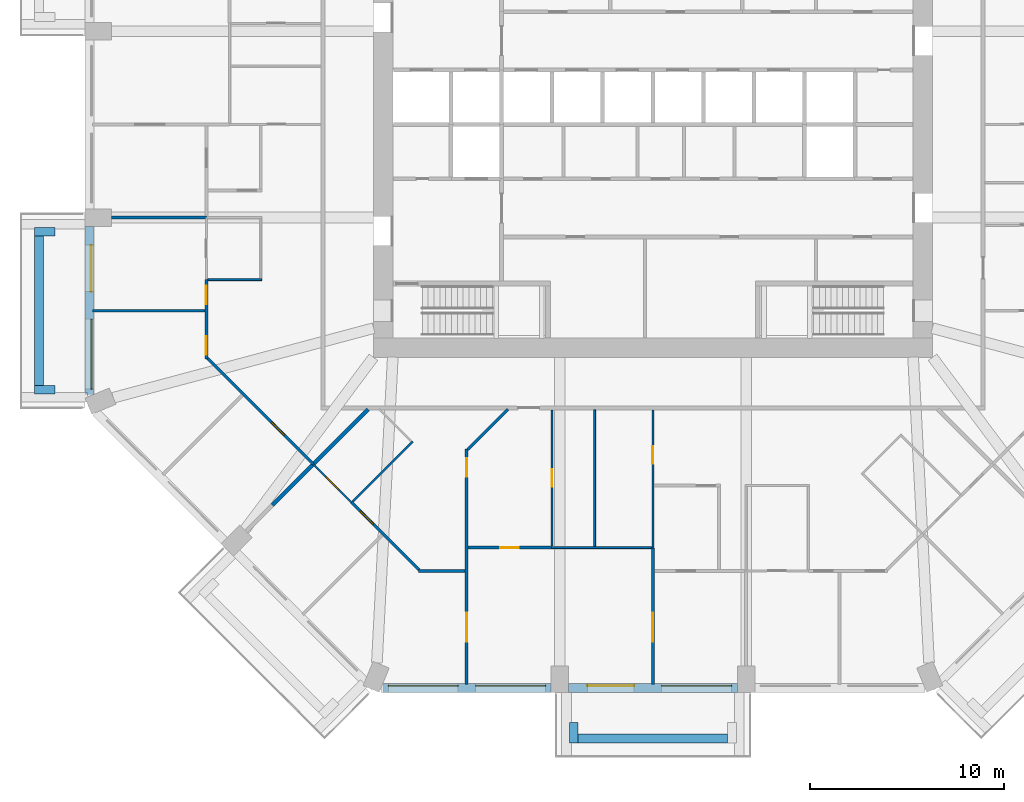
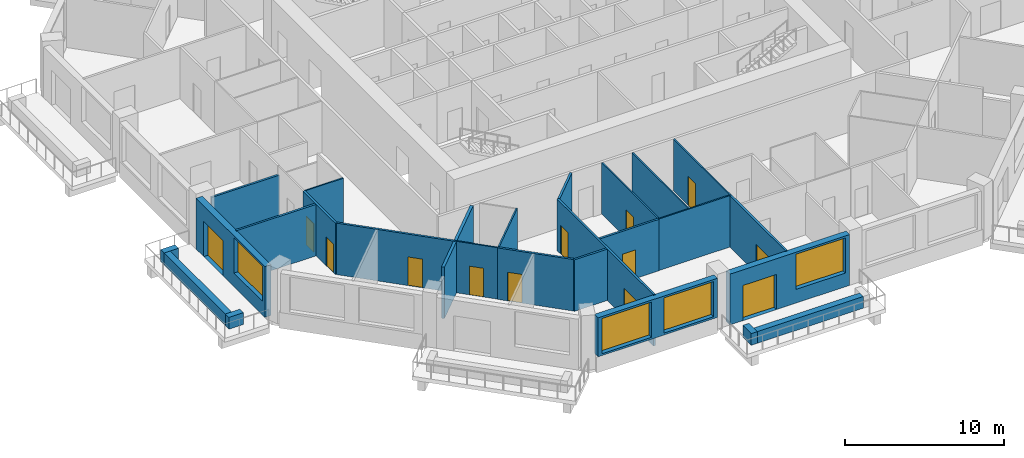
# One storey, part 3 of 13: 26 walls, 13 doors, 4 windows, 17 openings.
"""IFC4 building model written with IfcOpenShell, lengths in metres."""

from ifc_helpers import new_model, si_unit, direction, frame, frame_2d, origin, place, context, subcontext, project, spatial, rectangle, extrude, material, layer, layer_set, type_object, element, fill, save


model = new_model("IFC4")

# Units and contexts
model_context = context("Model", 3, precision=1e-05, world=origin(), true_north=direction((0.0, 1.0)))
body_context = subcontext(model_context, "Body", "Model", "MODEL_VIEW")
ifc_project = project(units=[si_unit("LENGTHUNIT", "METRE"), si_unit("AREAUNIT", "SQUARE_METRE"), si_unit("VOLUMEUNIT", "CUBIC_METRE"), si_unit("PLANEANGLEUNIT", "RADIAN"), si_unit("MASSUNIT", "GRAM", prefix="KILO")], contexts=[model_context])

# Site, building, storey
site_placement = place(None, origin())
site = spatial("IfcSite", under=ifc_project, at=site_placement, CompositionType="ELEMENT")
building_placement = place(site_placement, origin())
building = spatial("IfcBuilding", under=site, at=building_placement, Name="Msitu Wima Residences", CompositionType="ELEMENT")
storey_placement = place(building_placement, frame((0.0, 0.0, 29.699951171875)))
storey = spatial("IfcBuildingStorey", under=building, at=storey_placement, Name="L06", CompositionType="ELEMENT", Elevation=29.699951171875)

# Walls
ifc_material_1 = material(Name="Facing brick")
ifc_layer_1 = layer(ifc_material_1, 0.06494140625, Name="Facing brick")
ifc_material_2 = material(Name="Concrete C40/50", Category="concrete")
ifc_layer_2 = layer(ifc_material_2, 0.156005859375, Name="Concrete C40/50")
ifc_material_3 = material(Name="Waterproofing membrane")
ifc_layer_3 = layer(ifc_material_3, 0.00390625, Name="Waterproofing membrane")
ifc_material_4 = material(Name="Planting soil and planting")
ifc_layer_4 = layer(ifc_material_4, 0.22509765625, Name="Planting soil and planting")
ifc_layer_set_1 = layer_set([ifc_layer_1, ifc_layer_2, ifc_layer_3, ifc_layer_4], Name="Concrete C40/50")
wall_type_1 = type_object("IfcWallType", Name="Balcony planter PLANTER PL450", PredefinedType="USERDEFINED", material=ifc_layer_set_1)
wall_1_placement = place(storey_placement, frame((-31.625, -5.75, 0.0), z_axis=(0.0, 0.0, 1.0), x_axis=(0.0, -1.0, 0.0)))
element("IfcWall", 1, at=wall_1_placement, inside=storey, type_object=wall_type_1, Name="Balcony planter W2 L06", ObjectType="PLANTER", PredefinedType="USERDEFINED", context=body_context, shape_type="SweptSolid", body=[
    extrude(rectangle(XDim=7.699951171875, YDim=0.449951171875, at=frame_2d((3.85009765625, 0.0))), origin(), (0.0, 0.0, 1.0), 0.900146484375),
])
for number, where, z_axis, x_axis, name in (
    (2, (-30.800048828125, -5.52490234375, 0.0), (0.0, 0.0, 1.0), (-1.0, 0.0, 0.0), "Balcony planter W2 L06"),
    (3, (-30.800048828125, -13.675048828125, 0.0), (0.0, 0.0, 1.0), (-1.0, 0.0, 0.0), "Balcony planter W2 L06"),
):
    element("IfcWall", number, at=place(storey_placement, frame(where, z_axis=z_axis, x_axis=x_axis)), inside=storey, type_object=wall_type_1, Name=name, ObjectType="PLANTER", PredefinedType="USERDEFINED", context=body_context, shape_type="SweptSolid", body=[
        extrude(rectangle(XDim=1.050048828125, YDim=0.449951171875, at=frame_2d((0.52490234375, 0.0))), origin(), (0.0, 0.0, 1.0), 0.900146484375),
    ])
wall_2_placement = place(storey_placement, frame((-3.85009765625, -31.625, 0.0), z_axis=(0.0, 0.0, 1.0), x_axis=(1.0, 0.0, 0.0)))
element("IfcWall", 4, at=wall_2_placement, inside=storey, type_object=wall_type_1, Name="Balcony planter S1 L06", ObjectType="PLANTER", PredefinedType="USERDEFINED", context=body_context, shape_type="SweptSolid", body=[
    extrude(rectangle(XDim=7.7001953125, YDim=0.449951171875, at=frame_2d((3.85009765625, 0.0))), origin(), (0.0, 0.0, 1.0), 0.900146484375),
])
wall_3_placement = place(storey_placement, frame((-4.074951171875, -30.800048828125, 0.0), z_axis=(0.0, 0.0, 1.0), x_axis=(0.0, -1.0, 0.0)))
element("IfcWall", 5, at=wall_3_placement, inside=storey, type_object=wall_type_1, Name="Balcony planter S1 L06", ObjectType="PLANTER", PredefinedType="USERDEFINED", context=body_context, shape_type="SweptSolid", body=[
    extrude(rectangle(XDim=1.050048828125, YDim=0.449951171875, at=frame_2d((0.52490234375, 0.0))), origin(), (0.0, 0.0, 1.0), 0.900146484375),
])

# Wall, openings, door, window
ifc_material_5 = material(Name="Brick (red buff mix)", Category="masonry")
ifc_layer_5 = layer(ifc_material_5, 0.449951171875)
ifc_layer_set_2 = layer_set([ifc_layer_5], Name="Brick (red buff mix)")
wall_type_2 = type_object("IfcWallType", Name="Brick infill wall BW450", PredefinedType="SOLIDWALL", material=ifc_layer_set_2)
wall_4_placement = place(storey_placement, frame((-29.02490234375, -5.25, 0.0), z_axis=(0.0, 0.0, 1.0), x_axis=(0.0, -1.0, 0.0)))
wall_4 = element("IfcWall", 6, at=wall_4_placement, inside=storey, type_object=wall_type_2, Name="Brick infill wall L06 W2", PredefinedType="SOLIDWALL", context=body_context, shape_type="SweptSolid", body=[
    extrude(rectangle(XDim=8.662841796875, YDim=0.449951171875, at=frame_2d((4.33154296875, 0.0))), origin(), (0.0, 0.0, 1.0), 3.900146484375),
])
opening_1_placement = place(wall_4_placement, frame((0.9658203125, 0.0, 0.0)))
opening_1 = element("IfcOpeningElement", 7, at=opening_1_placement, cuts=wall_4, Name="Opening D05-07.010", PredefinedType="OPENING", context=body_context, shape_type="SweptSolid", body=[
    extrude(rectangle(XDim=2.39990234375, YDim=2.699951171875, at=frame_2d((1.199951171875, 1.35009765625))), frame((0.0, 0.23486328125, 0.0), z_axis=(0.0, -1.0, 0.0), x_axis=(1.0, 0.0, 0.0)), (0.0, 0.0, 1.0), 0.469970703125),
])
opening_2_placement = place(wall_4_placement, frame((4.781494140625, 0.0, 1.050048828125)))
opening_2 = element("IfcOpeningElement", 8, at=opening_2_placement, cuts=wall_4, Name="Opening W05-07.030", PredefinedType="OPENING", context=body_context, shape_type="SweptSolid", body=[
    extrude(rectangle(XDim=3.60009765625, YDim=2.699951171875, at=frame_2d((1.800048828125, 1.35009765625))), frame((0.0, 0.23486328125, 0.0), z_axis=(0.0, -1.0, 0.0), x_axis=(1.0, 0.0, 0.0)), (0.0, 0.0, 1.0), 0.469970703125),
])
ifc_material_6 = material(Name="Anodised aluminium, bronze finish, clear low-emissivity double glazing", Category="aluminium")
door_type_1 = type_object("IfcDoorType", Name="Balcony door D2400x2700", OperationType="SLIDING_TO_LEFT", PredefinedType="DOOR", material=ifc_material_6)
door_1_placement = place(opening_1_placement, origin())
door_1 = element("IfcDoor", 9, at=door_1_placement, inside=storey, type_object=door_type_1, Name="Balcony door L06 W2", OperationType="SINGLE_SWING_LEFT", OverallHeight=2.699951171875, OverallWidth=2.39990234375, PredefinedType="DOOR", context=body_context, shape_type="SweptSolid", body=[
    extrude(rectangle(XDim=2.39990234375, YDim=2.699951171875, at=frame_2d((1.199951171875, 1.35009765625))), frame((0.0, 0.1298828125, 0.0), z_axis=(0.0, -1.0, 0.0), x_axis=(1.0, 0.0, 0.0)), (0.0, 0.0, 1.0), 0.050048828125),
])
fill(opening_1, door_1)
window_type = type_object("IfcWindowType", Name="Window W3600x2700", PartitioningType="DOUBLE_PANEL_VERTICAL", PredefinedType="WINDOW", material=ifc_material_6)
window_1_placement = place(opening_2_placement, origin())
window_1 = element("IfcWindow", 10, at=window_1_placement, inside=storey, type_object=window_type, Name="Window L06 W2.2", OverallHeight=2.699951171875, OverallWidth=3.60009765625, PartitioningType="SINGLE_PANEL", PredefinedType="WINDOW", context=body_context, shape_type="SweptSolid", body=[
    extrude(rectangle(XDim=3.60009765625, YDim=2.699951171875, at=frame_2d((1.800048828125, 1.35009765625))), frame((0.0, 0.135009765625, 0.0), z_axis=(0.0, -1.0, 0.0), x_axis=(1.0, 0.0, 0.0)), (0.0, 0.0, 1.0), 0.06005859375),
])
fill(opening_2, window_1)

# Wall, openings, windows
wall_5_placement = place(storey_placement, frame((-13.912841796875, -29.02490234375, 0.900146484375), z_axis=(0.0, 0.0, 1.0), x_axis=(1.0, 0.0, 0.0)))
wall_5 = element("IfcWall", 11, at=wall_5_placement, inside=storey, type_object=wall_type_2, Name="Brick infill wall L06 S0", PredefinedType="SOLIDWALL", context=body_context, shape_type="SweptSolid", body=[
    extrude(rectangle(XDim=8.662841796875, YDim=0.449951171875, at=frame_2d((4.33154296875, 0.0))), origin(), (0.0, 0.0, 1.0), 3.0),
])
opening_3_placement = place(wall_5_placement, frame((0.281494140625, 0.0, 0.14990234375)))
opening_3 = element("IfcOpeningElement", 12, at=opening_3_placement, cuts=wall_5, Name="Opening W05-07.016", PredefinedType="OPENING", context=body_context, shape_type="SweptSolid", body=[
    extrude(rectangle(XDim=3.60009765625, YDim=2.699951171875, at=frame_2d((1.800048828125, 1.35009765625))), frame((0.0, 0.23486328125, 0.0), z_axis=(0.0, -1.0, 0.0), x_axis=(1.0, 0.0, 0.0)), (0.0, 0.0, 1.0), 0.469970703125),
])
opening_4_placement = place(wall_5_placement, frame((4.781494140625, 0.0, 0.14990234375)))
opening_4 = element("IfcOpeningElement", 13, at=opening_4_placement, cuts=wall_5, Name="Opening W05-07.017", PredefinedType="OPENING", context=body_context, shape_type="SweptSolid", body=[
    extrude(rectangle(XDim=3.60009765625, YDim=2.699951171875, at=frame_2d((1.800048828125, 1.35009765625))), frame((0.0, 0.23486328125, 0.0), z_axis=(0.0, -1.0, 0.0), x_axis=(1.0, 0.0, 0.0)), (0.0, 0.0, 1.0), 0.469970703125),
])
window_2_placement = place(opening_3_placement, origin())
window_2 = element("IfcWindow", 14, at=window_2_placement, inside=storey, type_object=window_type, Name="Window L06 S0.1", OverallHeight=2.699951171875, OverallWidth=3.60009765625, PartitioningType="SINGLE_PANEL", PredefinedType="WINDOW", context=body_context, shape_type="SweptSolid", body=[
    extrude(rectangle(XDim=3.60009765625, YDim=2.699951171875, at=frame_2d((1.800048828125, 1.35009765625))), frame((0.0, 0.135009765625, 0.0), z_axis=(0.0, -1.0, 0.0), x_axis=(1.0, 0.0, 0.0)), (0.0, 0.0, 1.0), 0.06005859375),
])
fill(opening_3, window_2)
window_3_placement = place(opening_4_placement, origin())
window_3 = element("IfcWindow", 15, at=window_3_placement, inside=storey, type_object=window_type, Name="Window L06 S0.2", OverallHeight=2.699951171875, OverallWidth=3.60009765625, PartitioningType="SINGLE_PANEL", PredefinedType="WINDOW", context=body_context, shape_type="SweptSolid", body=[
    extrude(rectangle(XDim=3.60009765625, YDim=2.699951171875, at=frame_2d((1.800048828125, 1.35009765625))), frame((0.0, 0.135009765625, 0.0), z_axis=(0.0, -1.0, 0.0), x_axis=(1.0, 0.0, 0.0)), (0.0, 0.0, 1.0), 0.06005859375),
])
fill(opening_4, window_3)

# Wall, openings, door, window
wall_6_placement = place(storey_placement, frame((-4.35009765625, -29.02490234375, 0.0), z_axis=(0.0, 0.0, 1.0), x_axis=(1.0, 0.0, 0.0)))
wall_6 = element("IfcWall", 16, at=wall_6_placement, inside=storey, type_object=wall_type_2, Name="Brick infill wall L06 S1", PredefinedType="SOLIDWALL", context=body_context, shape_type="SweptSolid", body=[
    extrude(rectangle(XDim=8.7001953125, YDim=0.449951171875, at=frame_2d((4.35009765625, 0.0))), origin(), (0.0, 0.0, 1.0), 3.900146484375),
])
opening_5_placement = place(wall_6_placement, frame((0.97509765625, 0.0, 0.0)))
opening_5 = element("IfcOpeningElement", 17, at=opening_5_placement, cuts=wall_6, Name="Opening D05-07.006", PredefinedType="OPENING", context=body_context, shape_type="SweptSolid", body=[
    extrude(rectangle(XDim=2.39990234375, YDim=2.699951171875, at=frame_2d((1.199951171875, 1.35009765625))), frame((0.0, 0.23486328125, 0.0), z_axis=(0.0, -1.0, 0.0), x_axis=(1.0, 0.0, 0.0)), (0.0, 0.0, 1.0), 0.469970703125),
])
opening_6_placement = place(wall_6_placement, frame((4.800048828125, 0.0, 1.050048828125)))
opening_6 = element("IfcOpeningElement", 18, at=opening_6_placement, cuts=wall_6, Name="Opening W05-07.018", PredefinedType="OPENING", context=body_context, shape_type="SweptSolid", body=[
    extrude(rectangle(XDim=3.60009765625, YDim=2.699951171875, at=frame_2d((1.800048828125, 1.35009765625))), frame((0.0, 0.23486328125, 0.0), z_axis=(0.0, -1.0, 0.0), x_axis=(1.0, 0.0, 0.0)), (0.0, 0.0, 1.0), 0.469970703125),
])
door_2_placement = place(opening_5_placement, origin())
door_2 = element("IfcDoor", 19, at=door_2_placement, inside=storey, type_object=door_type_1, Name="Balcony door L06 S1", OperationType="SINGLE_SWING_LEFT", OverallHeight=2.699951171875, OverallWidth=2.39990234375, PredefinedType="DOOR", context=body_context, shape_type="SweptSolid", body=[
    extrude(rectangle(XDim=2.39990234375, YDim=2.699951171875, at=frame_2d((1.199951171875, 1.35009765625))), frame((0.0, 0.1298828125, 0.0), z_axis=(0.0, -1.0, 0.0), x_axis=(1.0, 0.0, 0.0)), (0.0, 0.0, 1.0), 0.050048828125),
])
fill(opening_5, door_2)
window_4_placement = place(opening_6_placement, origin())
window_4 = element("IfcWindow", 20, at=window_4_placement, inside=storey, type_object=window_type, Name="Window L06 S1.2", OverallHeight=2.699951171875, OverallWidth=3.60009765625, PartitioningType="SINGLE_PANEL", PredefinedType="WINDOW", context=body_context, shape_type="SweptSolid", body=[
    extrude(rectangle(XDim=3.60009765625, YDim=2.699951171875, at=frame_2d((1.800048828125, 1.35009765625))), frame((0.0, 0.135009765625, 0.0), z_axis=(0.0, -1.0, 0.0), x_axis=(1.0, 0.0, 0.0)), (0.0, 0.0, 1.0), 0.06005859375),
])
fill(opening_6, window_4)

# Walls
ifc_material_7 = material(Name="Plaster")
ifc_layer_6 = layer(ifc_material_7, 0.011962890625, Name="Plaster")
ifc_material_8 = material(Name="Concrete blockwork", Category="masonry")
ifc_layer_7 = layer(ifc_material_8, 0.1259765625, Name="Concrete blockwork")
ifc_layer_8 = layer(ifc_material_7, 0.011962890625, Name="Plaster")
ifc_layer_set_3 = layer_set([ifc_layer_6, ifc_layer_7, ifc_layer_8], Name="Concrete blockwork")
wall_type_3 = type_object("IfcWallType", Name="Partition PW150", PredefinedType="PARTITIONING", material=ifc_layer_set_3)
wall_7_placement = place(storey_placement, frame((-28.85498046875, -9.60009765625, 0.0), z_axis=(0.0, 0.0, 1.0), x_axis=(1.0, 0.0, 0.0)))
element("IfcWall", 21, at=wall_7_placement, inside=storey, type_object=wall_type_3, Name="Partition", PredefinedType="PARTITIONING", context=body_context, shape_type="SweptSolid", body=[
    extrude(rectangle(XDim=5.780029296875, YDim=0.14990234375, at=frame_2d((2.89013671875, 0.0))), origin(), (0.0, 0.0, 1.0), 3.949951171875),
])
wall_8_placement = place(storey_placement, frame((-27.89990234375, -4.800048828125, 0.0), z_axis=(0.0, 0.0, 1.0), x_axis=(1.0, 0.0, 0.0)))
element("IfcWall", 22, at=wall_8_placement, inside=storey, type_object=wall_type_3, Name="Partition", PredefinedType="PARTITIONING", context=body_context, shape_type="SweptSolid", body=[
    extrude(rectangle(XDim=4.919921875, YDim=0.14990234375, at=frame_2d((2.4599609375, 0.0))), origin(), (0.0, 0.0, 1.0), 3.25),
])

# Wall, openings, doors
wall_9_placement = place(storey_placement, frame((-23.0, -12.072509765625, 0.0), z_axis=(0.0, 0.0, 1.0), x_axis=(0.0, 1.0, 0.0)))
wall_9 = element("IfcWall", 23, at=wall_9_placement, inside=storey, type_object=wall_type_3, Name="Partition", PredefinedType="PARTITIONING", context=body_context, shape_type="SweptSolid", body=[
    extrude(rectangle(XDim=4.072509765625, YDim=0.14990234375, at=frame_2d((2.0361328125, 0.0))), origin(), (0.0, 0.0, 1.0), 3.949951171875),
])
opening_7_placement = place(wall_9_placement, frame((2.800048828125, 0.0, 0.0)))
opening_7 = element("IfcOpeningElement", 24, at=opening_7_placement, cuts=wall_9, Name="Opening D05-07.073", PredefinedType="OPENING", context=body_context, shape_type="SweptSolid", body=[
    extrude(rectangle(XDim=0.949951171875, YDim=2.199951171875, at=frame_2d((0.47509765625, 1.10009765625))), frame((0.0, 0.0849609375, 0.0), z_axis=(0.0, -1.0, 0.0), x_axis=(1.0, 0.0, 0.0)), (0.0, 0.0, 1.0), 0.169921875),
])
opening_8_placement = place(wall_9_placement, frame((0.199951171875, 0.0, 0.0)))
opening_8 = element("IfcOpeningElement", 25, at=opening_8_placement, cuts=wall_9, Name="Opening D05-07.077", PredefinedType="OPENING", context=body_context, shape_type="SweptSolid", body=[
    extrude(rectangle(XDim=0.949951171875, YDim=2.199951171875, at=frame_2d((0.47509765625, 1.10009765625))), frame((0.0, 0.0849609375, 0.0), z_axis=(0.0, -1.0, 0.0), x_axis=(1.0, 0.0, 0.0)), (0.0, 0.0, 1.0), 0.169921875),
])
ifc_material_9 = material(Name="Timber flush door", Category="wood")
door_type_2 = type_object("IfcDoorType", Name="Room door D12 950x2200", OperationType="SINGLE_SWING_LEFT", PredefinedType="DOOR", material=ifc_material_9)
door_3_placement = place(opening_7_placement, origin())
door_3 = element("IfcDoor", 26, at=door_3_placement, inside=storey, type_object=door_type_2, Name="Room door", OperationType="SINGLE_SWING_LEFT", OverallHeight=2.199951171875, OverallWidth=0.949951171875, PredefinedType="DOOR", context=body_context, shape_type="SweptSolid", body=[
    extrude(rectangle(XDim=0.949951171875, YDim=2.199951171875, at=frame_2d((0.47509765625, 1.10009765625))), frame((0.0, 0.02490234375, 0.0), z_axis=(0.0, -1.0, 0.0), x_axis=(1.0, 0.0, 0.0)), (0.0, 0.0, 1.0), 0.050048828125),
])
fill(opening_7, door_3)
door_4_placement = place(opening_8_placement, origin())
door_4 = element("IfcDoor", 27, at=door_4_placement, inside=storey, type_object=door_type_2, Name="Room door", OperationType="SINGLE_SWING_RIGHT", OverallHeight=2.199951171875, OverallWidth=0.949951171875, PredefinedType="DOOR", context=body_context, shape_type="SweptSolid", body=[
    extrude(rectangle(XDim=0.949951171875, YDim=2.199951171875, at=frame_2d((0.47509765625, 1.10009765625))), frame((0.0, 0.02490234375, 0.0), z_axis=(0.0, -1.0, 0.0), x_axis=(1.0, 0.0, 0.0)), (0.0, 0.0, 1.0), 0.050048828125),
])
fill(opening_8, door_4)

# Wall, opening, door
wall_10_placement = place(storey_placement, frame((-22.947021484375, -12.050537109375, 0.0), z_axis=(0.0, 0.0, 1.0), x_axis=(0.707106781187, -0.707106781187, 0.0)))
wall_10 = element("IfcWall", 28, at=wall_10_placement, inside=storey, type_object=wall_type_3, Name="Partition", PredefinedType="PARTITIONING", context=body_context, shape_type="SweptSolid", body=[
    extrude(rectangle(XDim=7.705078125, YDim=0.14990234375, at=frame_2d((3.8525390625, 0.0))), origin(), (0.0, 0.0, 1.0), 3.949951171875),
])
opening_9_placement = place(wall_10_placement, frame((4.64990234375, 0.0, 0.0)))
opening_9 = element("IfcOpeningElement", 29, at=opening_9_placement, cuts=wall_10, Name="Opening D05-07.072", PredefinedType="OPENING", context=body_context, shape_type="SweptSolid", body=[
    extrude(rectangle(XDim=0.949951171875, YDim=2.199951171875, at=frame_2d((0.47509765625, 1.10009765625))), frame((0.0, 0.0849609375, 0.0), z_axis=(0.0, -1.0, 0.0), x_axis=(1.0, 0.0, 0.0)), (0.0, 0.0, 1.0), 0.169921875),
])
door_5_placement = place(opening_9_placement, origin())
door_5 = element("IfcDoor", 30, at=door_5_placement, inside=storey, type_object=door_type_2, Name="Room door", OperationType="SINGLE_SWING_RIGHT", OverallHeight=2.199951171875, OverallWidth=0.949951171875, PredefinedType="DOOR", context=body_context, shape_type="SweptSolid", body=[
    extrude(rectangle(XDim=0.949951171875, YDim=2.199951171875, at=frame_2d((0.47509765625, 1.10009765625))), frame((0.0, 0.02490234375, 0.0), z_axis=(0.0, -1.0, 0.0), x_axis=(1.0, 0.0, 0.0)), (0.0, 0.0, 1.0), 0.050048828125),
])
fill(opening_9, door_5)

wall_11_placement = place(storey_placement, frame((-15.532958984375, -19.464599609375, 0.0), z_axis=(0.0, 0.0, 1.0), x_axis=(0.707106781187, -0.707106781187, 0.0)))
wall_11 = element("IfcWall", 31, at=wall_11_placement, inside=storey, type_object=wall_type_3, Name="Partition", PredefinedType="PARTITIONING", context=body_context, shape_type="SweptSolid", body=[
    extrude(rectangle(XDim=4.9248046875, YDim=0.14990234375, at=frame_2d((2.46240234375, 0.0))), origin(), (0.0, 0.0, 1.0), 3.949951171875),
])
opening_10_placement = place(wall_11_placement, frame((0.64990234375, 0.0, 0.0)))
opening_10 = element("IfcOpeningElement", 32, at=opening_10_placement, cuts=wall_11, Name="Opening D05-07.082", PredefinedType="OPENING", context=body_context, shape_type="SweptSolid", body=[
    extrude(rectangle(XDim=0.949951171875, YDim=2.199951171875, at=frame_2d((0.47509765625, 1.10009765625))), frame((0.0, 0.0849609375, 0.0), z_axis=(0.0, -1.0, 0.0), x_axis=(1.0, 0.0, 0.0)), (0.0, 0.0, 1.0), 0.169921875),
])
door_6_placement = place(opening_10_placement, origin())
door_6 = element("IfcDoor", 33, at=door_6_placement, inside=storey, type_object=door_type_2, Name="Room door", OperationType="SINGLE_SWING_LEFT", OverallHeight=2.199951171875, OverallWidth=0.949951171875, PredefinedType="DOOR", context=body_context, shape_type="SweptSolid", body=[
    extrude(rectangle(XDim=0.949951171875, YDim=2.199951171875, at=frame_2d((0.47509765625, 1.10009765625))), frame((0.0, 0.02490234375, 0.0), z_axis=(0.0, -1.0, 0.0), x_axis=(1.0, 0.0, 0.0)), (0.0, 0.0, 1.0), 0.050048828125),
])
fill(opening_10, door_6)

# Wall
wall_12_placement = place(storey_placement, frame((-12.072509765625, -23.0, 0.0), z_axis=(0.0, 0.0, 1.0), x_axis=(1.0, 0.0, 0.0)))
element("IfcWall", 34, at=wall_12_placement, inside=storey, type_object=wall_type_3, Name="Partition", PredefinedType="PARTITIONING", context=body_context, shape_type="SweptSolid", body=[
    extrude(rectangle(XDim=2.3974609375, YDim=0.14990234375, at=frame_2d((1.19873046875, 0.0))), origin(), (0.0, 0.0, 1.0), 3.949951171875),
])

# Wall, openings, doors
wall_13_placement = place(storey_placement, frame((-9.60009765625, -28.85498046875, 0.0), z_axis=(0.0, 0.0, 1.0), x_axis=(0.0, 1.0, 0.0)))
wall_13 = element("IfcWall", 35, at=wall_13_placement, inside=storey, type_object=wall_type_3, Name="Partition", PredefinedType="PARTITIONING", context=body_context, shape_type="SweptSolid", body=[
    extrude(rectangle(XDim=12.1298828125, YDim=0.14990234375, at=frame_2d((6.06494140625, 0.0))), origin(), (0.0, 0.0, 1.0), 3.949951171875),
])
opening_11_placement = place(wall_13_placement, frame((10.699951171875, 0.0, 0.0)))
opening_11 = element("IfcOpeningElement", 36, at=opening_11_placement, cuts=wall_13, Name="Opening D05-07.078", PredefinedType="OPENING", context=body_context, shape_type="SweptSolid", body=[
    extrude(rectangle(XDim=0.949951171875, YDim=2.199951171875, at=frame_2d((0.47509765625, 1.10009765625))), frame((0.0, 0.0849609375, 0.0), z_axis=(0.0, -1.0, 0.0), x_axis=(1.0, 0.0, 0.0)), (0.0, 0.0, 1.0), 0.169921875),
])
opening_12_placement = place(wall_13_placement, frame((2.199951171875, 0.0, 0.0)))
opening_12 = element("IfcOpeningElement", 37, at=opening_12_placement, cuts=wall_13, Name="Opening D05-07.085", PredefinedType="OPENING", context=body_context, shape_type="SweptSolid", body=[
    extrude(rectangle(XDim=1.5, YDim=2.199951171875, at=frame_2d((0.75, 1.10009765625))), frame((0.0, 0.0849609375, 0.0), z_axis=(0.0, -1.0, 0.0), x_axis=(1.0, 0.0, 0.0)), (0.0, 0.0, 1.0), 0.169921875),
])
ifc_material_10 = material(Name="Timber double door", Category="wood")
door_type_3 = type_object("IfcDoorType", Name="Double door D04 1500x2200", OperationType="DOUBLE_DOOR_SINGLE_SWING", PredefinedType="DOOR", material=ifc_material_10)
door_7_placement = place(opening_12_placement, origin())
door_7 = element("IfcDoor", 38, at=door_7_placement, inside=storey, type_object=door_type_3, Name="Double door", OperationType="DOUBLE_DOOR_SINGLE_SWING", OverallHeight=2.199951171875, OverallWidth=1.5, PredefinedType="DOOR", context=body_context, shape_type="SweptSolid", body=[
    extrude(rectangle(XDim=1.5, YDim=2.199951171875, at=frame_2d((0.75, 1.10009765625))), frame((0.0, 0.02490234375, 0.0), z_axis=(0.0, -1.0, 0.0), x_axis=(1.0, 0.0, 0.0)), (0.0, 0.0, 1.0), 0.050048828125),
])
fill(opening_12, door_7)
door_8_placement = place(opening_11_placement, origin())
door_8 = element("IfcDoor", 39, at=door_8_placement, inside=storey, type_object=door_type_2, Name="Room door", OperationType="SINGLE_SWING_RIGHT", OverallHeight=2.199951171875, OverallWidth=0.949951171875, PredefinedType="DOOR", context=body_context, shape_type="SweptSolid", body=[
    extrude(rectangle(XDim=0.949951171875, YDim=2.199951171875, at=frame_2d((0.47509765625, 1.10009765625))), frame((0.0, 0.02490234375, 0.0), z_axis=(0.0, -1.0, 0.0), x_axis=(1.0, 0.0, 0.0)), (0.0, 0.0, 1.0), 0.050048828125),
])
fill(opening_11, door_8)

# Wall, opening, door
wall_14_placement = place(storey_placement, frame((-9.52490234375, -21.800048828125, 0.0), z_axis=(0.0, 0.0, 1.0), x_axis=(1.0, 0.0, 0.0)))
wall_14 = element("IfcWall", 40, at=wall_14_placement, inside=storey, type_object=wall_type_3, Name="Partition", PredefinedType="PARTITIONING", context=body_context, shape_type="SweptSolid", body=[
    extrude(rectangle(XDim=4.304931640625, YDim=0.14990234375, at=frame_2d((2.15234375, 0.0))), origin(), (0.0, 0.0, 1.0), 3.949951171875),
])
opening_13_placement = place(wall_14_placement, frame((1.64990234375, 0.0, 0.0)))
opening_13 = element("IfcOpeningElement", 41, at=opening_13_placement, cuts=wall_14, Name="Opening D05-07.079", PredefinedType="OPENING", context=body_context, shape_type="SweptSolid", body=[
    extrude(rectangle(XDim=0.949951171875, YDim=2.199951171875, at=frame_2d((0.47509765625, 1.10009765625))), frame((0.0, 0.0849609375, 0.0), z_axis=(0.0, -1.0, 0.0), x_axis=(1.0, 0.0, 0.0)), (0.0, 0.0, 1.0), 0.169921875),
])
door_9_placement = place(opening_13_placement, origin())
door_9 = element("IfcDoor", 42, at=door_9_placement, inside=storey, type_object=door_type_2, Name="Room door", OperationType="SINGLE_SWING_RIGHT", OverallHeight=2.199951171875, OverallWidth=0.949951171875, PredefinedType="DOOR", context=body_context, shape_type="SweptSolid", body=[
    extrude(rectangle(XDim=0.949951171875, YDim=2.199951171875, at=frame_2d((0.47509765625, 1.10009765625))), frame((0.0, 0.02490234375, 0.0), z_axis=(0.0, -1.0, 0.0), x_axis=(1.0, 0.0, 0.0)), (0.0, 0.0, 1.0), 0.050048828125),
])
fill(opening_13, door_9)

# Wall
wall_15_placement = place(storey_placement, frame((-9.546875, -16.7470703125, 0.0), z_axis=(0.0, 0.0, 1.0), x_axis=(0.707065207457, 0.707148352472, 0.0)))
element("IfcWall", 43, at=wall_15_placement, inside=storey, type_object=wall_type_3, Name="Partition", PredefinedType="PARTITIONING", context=body_context, shape_type="SweptSolid", body=[
    extrude(rectangle(XDim=2.936279296875, YDim=0.14990234375, at=frame_2d((1.46826171875, 0.0))), origin(), (0.0, 0.0, 1.0), 3.949951171875),
])

# Wall, opening, door
wall_16_placement = place(storey_placement, frame((0.0, -28.85498046875, 0.0), z_axis=(0.0, 0.0, 1.0), x_axis=(0.0, 1.0, 0.0)))
wall_16 = element("IfcWall", 44, at=wall_16_placement, inside=storey, type_object=wall_type_3, Name="Partition", PredefinedType="PARTITIONING", context=body_context, shape_type="SweptSolid", body=[
    extrude(rectangle(XDim=7.034912109375, YDim=0.14990234375, at=frame_2d((3.517578125, 0.0))), origin(), (0.0, 0.0, 1.0), 3.949951171875),
])
opening_14_placement = place(wall_16_placement, frame((2.199951171875, 0.0, 0.0)))
opening_14 = element("IfcOpeningElement", 45, at=opening_14_placement, cuts=wall_16, Name="Opening D05-07.080", PredefinedType="OPENING", context=body_context, shape_type="SweptSolid", body=[
    extrude(rectangle(XDim=1.5, YDim=2.199951171875, at=frame_2d((0.75, 1.10009765625))), frame((0.0, 0.0849609375, 0.0), z_axis=(0.0, -1.0, 0.0), x_axis=(1.0, 0.0, 0.0)), (0.0, 0.0, 1.0), 0.169921875),
])
door_10_placement = place(opening_14_placement, origin())
door_10 = element("IfcDoor", 46, at=door_10_placement, inside=storey, type_object=door_type_3, Name="Double door", OperationType="DOUBLE_DOOR_SINGLE_SWING", OverallHeight=2.199951171875, OverallWidth=1.5, PredefinedType="DOOR", context=body_context, shape_type="SweptSolid", body=[
    extrude(rectangle(XDim=1.5, YDim=2.199951171875, at=frame_2d((0.75, 1.10009765625))), frame((0.0, 0.02490234375, 0.0), z_axis=(0.0, -1.0, 0.0), x_axis=(1.0, 0.0, 0.0)), (0.0, 0.0, 1.0), 0.050048828125),
])
fill(opening_14, door_10)

# Walls
ifc_layer_9 = layer(ifc_material_7, 0.011962890625, Name="Plaster")
ifc_material_11 = material(Name="Dense concrete blockwork", Category="masonry")
ifc_layer_10 = layer(ifc_material_11, 0.176025390625, Name="Dense concrete blockwork")
ifc_layer_11 = layer(ifc_material_7, 0.011962890625, Name="Plaster")
ifc_layer_set_4 = layer_set([ifc_layer_9, ifc_layer_10, ifc_layer_11], Name="Dense concrete blockwork")
wall_type_4 = type_object("IfcWallType", Name="Party wall PW200", PredefinedType="PARTITIONING", material=ifc_layer_set_4)
wall_17_placement = place(storey_placement, frame((-19.605712890625, -19.605712890625, 0.0), z_axis=(0.0, 0.0, 1.0), x_axis=(0.707106781187, 0.707106781187, 0.0)))
element("IfcWall", 47, at=wall_17_placement, inside=storey, type_object=wall_type_4, Name="Party wall", PredefinedType="PARTITIONING", context=body_context, shape_type="SweptSolid", body=[
    extrude(rectangle(XDim=6.979248046875, YDim=0.199951171875, at=frame_2d((3.48974609375, 0.0))), origin(), (0.0, 0.0, 1.0), 3.949951171875),
])
ifc_material_12 = material(Name="Ceramic tiles")
ifc_layer_12 = layer(ifc_material_12, 0.008056640625, Name="Ceramic tiles")
ifc_material_13 = material(Name="Moisture-resistant board")
ifc_layer_13 = layer(ifc_material_13, 0.012451171875, Name="Moisture-resistant board")
ifc_material_14 = material(Name="Light-gauge stud framing with mineral wool")
ifc_layer_14 = layer(ifc_material_14, 0.06689453125, Name="Light-gauge stud framing with mineral wool")
ifc_layer_15 = layer(ifc_material_13, 0.012451171875, Name="Moisture-resistant board")
ifc_layer_set_5 = layer_set([ifc_layer_12, ifc_layer_13, ifc_layer_14, ifc_layer_15], Name="Light-gauge stud framing with mineral wool")
wall_type_5 = type_object("IfcWallType", Name="Wet wall PW100", PredefinedType="PARTITIONING", material=ifc_layer_set_5)
wall_18_placement = place(storey_placement, frame((-22.925048828125, -8.0, 0.0), z_axis=(0.0, 0.0, 1.0), x_axis=(1.0, 0.0, 0.0)))
element("IfcWall", 48, at=wall_18_placement, inside=storey, type_object=wall_type_5, Name="Wet wall", PredefinedType="PARTITIONING", context=body_context, shape_type="SweptSolid", body=[
    extrude(rectangle(XDim=2.775146484375, YDim=0.10009765625, at=frame_2d((1.3876953125, 0.0))), origin(), (0.0, 0.0, 1.0), 3.949951171875),
])

# Wall, opening, door
wall_19_placement = place(storey_placement, frame((-17.498779296875, -17.498779296875, 0.0), z_axis=(0.0, 0.0, 1.0), x_axis=(0.707106781187, -0.707106781187, 0.0)))
wall_19 = element("IfcWall", 49, at=wall_19_placement, inside=storey, type_object=wall_type_5, Name="Wet wall", PredefinedType="PARTITIONING", context=body_context, shape_type="SweptSolid", body=[
    extrude(rectangle(XDim=2.780029296875, YDim=0.10009765625, at=frame_2d((1.39013671875, 0.0))), origin(), (0.0, 0.0, 1.0), 3.949951171875),
])
opening_15_placement = place(wall_19_placement, frame((0.949951171875, 0.0, 0.0)))
opening_15 = element("IfcOpeningElement", 50, at=opening_15_placement, cuts=wall_19, Name="Opening D05-07.083", PredefinedType="OPENING", context=body_context, shape_type="SweptSolid", body=[
    extrude(rectangle(XDim=0.89990234375, YDim=2.199951171875, at=frame_2d((0.449951171875, 1.10009765625))), frame((0.0, 0.06005859375, 0.0), z_axis=(0.0, -1.0, 0.0), x_axis=(1.0, 0.0, 0.0)), (0.0, 0.0, 1.0), 0.1201171875),
])
ifc_material_15 = material(Name="Timber flush door, moisture resistant", Category="wood")
door_type_4 = type_object("IfcDoorType", Name="Bathroom door D03 900x2200", OperationType="SINGLE_SWING_LEFT", PredefinedType="DOOR", material=ifc_material_15)
door_11_placement = place(opening_15_placement, origin())
door_11 = element("IfcDoor", 51, at=door_11_placement, inside=storey, type_object=door_type_4, Name="Bathroom door", OperationType="SINGLE_SWING_LEFT", OverallHeight=2.199951171875, OverallWidth=0.89990234375, PredefinedType="DOOR", context=body_context, shape_type="SweptSolid", body=[
    extrude(rectangle(XDim=0.89990234375, YDim=2.199951171875, at=frame_2d((0.449951171875, 1.10009765625))), frame((0.0, 0.02490234375, 0.0), z_axis=(0.0, -1.0, 0.0), x_axis=(1.0, 0.0, 0.0)), (0.0, 0.0, 1.0), 0.050048828125),
])
fill(opening_15, door_11)

# Walls
wall_20_placement = place(storey_placement, frame((-15.4658203125, -19.425537109375, 0.0), z_axis=(0.0, 0.0, 1.0), x_axis=(0.707106781187, 0.707106781187, 0.0)))
element("IfcWall", 52, at=wall_20_placement, inside=storey, type_object=wall_type_5, Name="Wet wall", PredefinedType="PARTITIONING", context=body_context, shape_type="SweptSolid", body=[
    extrude(rectangle(XDim=4.375, YDim=0.10009765625, at=frame_2d((2.1875, 0.0))), origin(), (0.0, 0.0, 1.0), 3.949951171875),
])
wall_21_placement = place(storey_placement, frame((-5.219970703125, -21.800048828125, 0.0), z_axis=(0.0, 0.0, 1.0), x_axis=(1.0, 0.0, 0.0)))
element("IfcWall", 53, at=wall_21_placement, inside=storey, type_object=wall_type_5, Name="Wet wall", PredefinedType="PARTITIONING", context=body_context, shape_type="SweptSolid", body=[
    extrude(rectangle(XDim=5.14501953125, YDim=0.10009765625, at=frame_2d((2.572509765625, 0.0))), origin(), (0.0, 0.0, 1.0), 3.949951171875),
])

# Wall, opening, door
wall_22_placement = place(storey_placement, frame((-5.199951171875, -21.72509765625, 0.0), z_axis=(0.0, 0.0, 1.0), x_axis=(0.0, 1.0, 0.0)))
wall_22 = element("IfcWall", 54, at=wall_22_placement, inside=storey, type_object=wall_type_5, Name="Wet wall", PredefinedType="PARTITIONING", context=body_context, shape_type="SweptSolid", body=[
    extrude(rectangle(XDim=7.025146484375, YDim=0.10009765625, at=frame_2d((3.5126953125, 0.0))), origin(), (0.0, 0.0, 1.0), 3.949951171875),
])
opening_16_placement = place(wall_22_placement, frame((3.050048828125, 0.0, 0.0)))
opening_16 = element("IfcOpeningElement", 55, at=opening_16_placement, cuts=wall_22, Name="Opening D05-07.081", PredefinedType="OPENING", context=body_context, shape_type="SweptSolid", body=[
    extrude(rectangle(XDim=0.89990234375, YDim=2.199951171875, at=frame_2d((0.449951171875, 1.10009765625))), frame((0.0, 0.06005859375, 0.0), z_axis=(0.0, -1.0, 0.0), x_axis=(1.0, 0.0, 0.0)), (0.0, 0.0, 1.0), 0.1201171875),
])
door_12_placement = place(opening_16_placement, origin())
door_12 = element("IfcDoor", 56, at=door_12_placement, inside=storey, type_object=door_type_4, Name="Bathroom door", OperationType="SINGLE_SWING_RIGHT", OverallHeight=2.199951171875, OverallWidth=0.89990234375, PredefinedType="DOOR", context=body_context, shape_type="SweptSolid", body=[
    extrude(rectangle(XDim=0.89990234375, YDim=2.199951171875, at=frame_2d((0.449951171875, 1.10009765625))), frame((0.0, 0.02490234375, 0.0), z_axis=(0.0, -1.0, 0.0), x_axis=(1.0, 0.0, 0.0)), (0.0, 0.0, 1.0), 0.050048828125),
])
fill(opening_16, door_12)

# Wall
wall_23_placement = place(storey_placement, frame((-3.0, -21.75, 0.0), z_axis=(0.0, 0.0, 1.0), x_axis=(0.0, 1.0, 0.0)))
element("IfcWall", 57, at=wall_23_placement, inside=storey, type_object=wall_type_5, Name="Wet wall", PredefinedType="PARTITIONING", context=body_context, shape_type="SweptSolid", body=[
    extrude(rectangle(XDim=7.050048828125, YDim=0.10009765625, at=frame_2d((3.52490234375, 0.0))), origin(), (0.0, 0.0, 1.0), 3.949951171875),
])

# Wall, opening, door
wall_24_placement = place(storey_placement, frame((0.0, -21.820068359375, 0.0), z_axis=(0.0, 0.0, 1.0), x_axis=(0.0, 1.0, 0.0)))
wall_24 = element("IfcWall", 58, at=wall_24_placement, inside=storey, type_object=wall_type_5, Name="Wet wall", PredefinedType="PARTITIONING", context=body_context, shape_type="SweptSolid", body=[
    extrude(rectangle(XDim=7.1201171875, YDim=0.10009765625, at=frame_2d((3.56005859375, 0.0))), origin(), (0.0, 0.0, 1.0), 3.949951171875),
])
opening_17_placement = place(wall_24_placement, frame((4.35009765625, 0.0, 0.0)))
opening_17 = element("IfcOpeningElement", 59, at=opening_17_placement, cuts=wall_24, Name="Opening D05-07.092", PredefinedType="OPENING", context=body_context, shape_type="SweptSolid", body=[
    extrude(rectangle(XDim=0.89990234375, YDim=2.199951171875, at=frame_2d((0.449951171875, 1.10009765625))), frame((0.0, 0.06005859375, 0.0), z_axis=(0.0, -1.0, 0.0), x_axis=(1.0, 0.0, 0.0)), (0.0, 0.0, 1.0), 0.1201171875),
])
door_13_placement = place(opening_17_placement, origin())
door_13 = element("IfcDoor", 60, at=door_13_placement, inside=storey, type_object=door_type_4, Name="Bathroom door", OperationType="SINGLE_SWING_RIGHT", OverallHeight=2.199951171875, OverallWidth=0.89990234375, PredefinedType="DOOR", context=body_context, shape_type="SweptSolid", body=[
    extrude(rectangle(XDim=0.89990234375, YDim=2.199951171875, at=frame_2d((0.449951171875, 1.10009765625))), frame((0.0, 0.02490234375, 0.0), z_axis=(0.0, -1.0, 0.0), x_axis=(1.0, 0.0, 0.0)), (0.0, 0.0, 1.0), 0.050048828125),
])
fill(opening_17, door_13)

save(model, "model.ifc")
